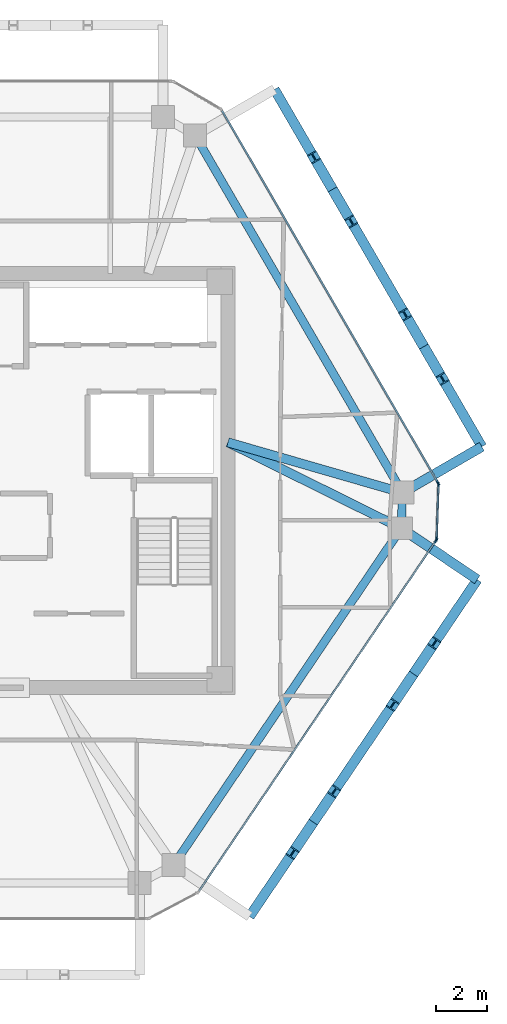
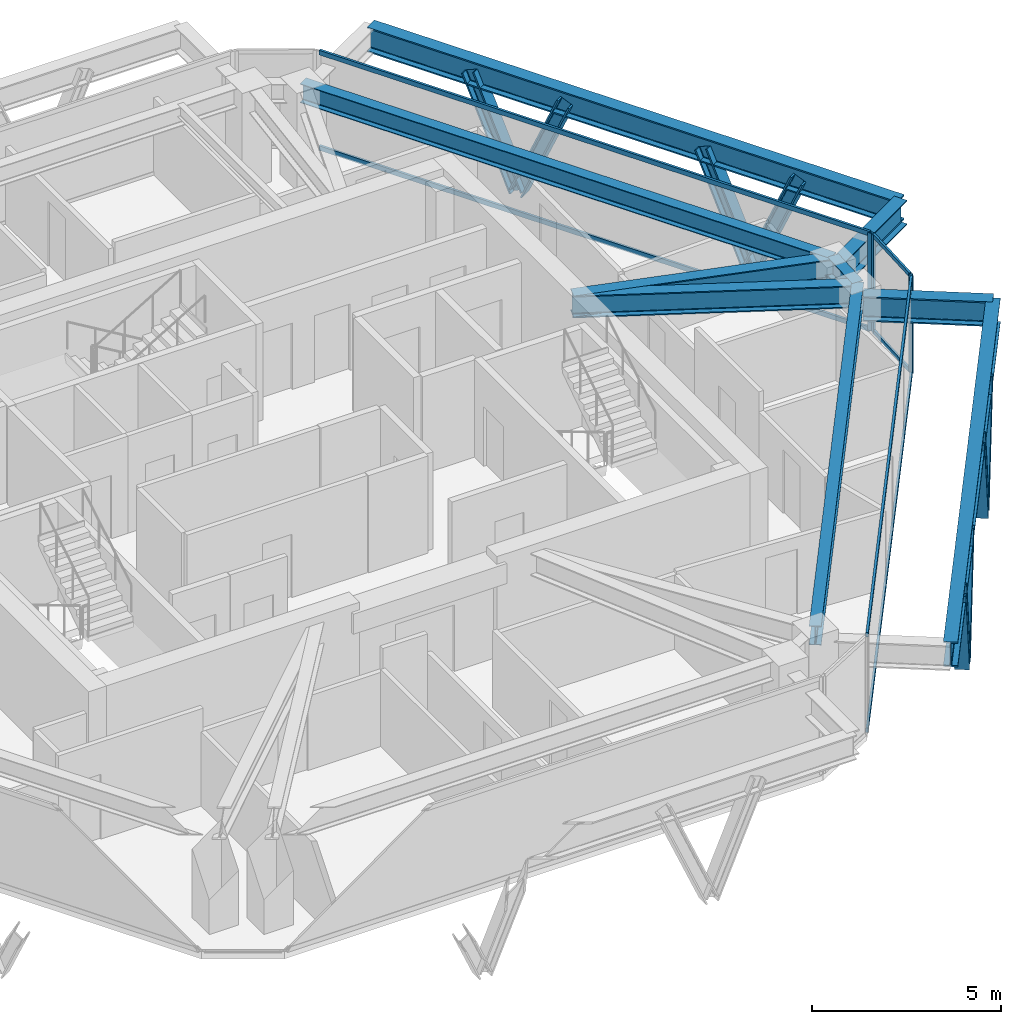
# One storey, part 5 of 11: 18 members, 9 beams, 3 elements without a shape of their own.
"""IFC4 building model written with IfcOpenShell, lengths in metres."""

import ifcopenshell
import ifcopenshell.guid

model = None  # the IFC model being written
_history = None  # IfcOwnerHistory: only IFC2X3 demands one
_inside = {}  # id of a spatial element -> (the spatial element, [elements in it])
_under = {}  # id of a project, library or spatial element -> (it, [spatial elements below it])
_declared = {}  # id of a project -> (the project, [libraries it declares])
_typed = {}  # id of a type object -> (the type object, [elements of that type])
_made_of = {}  # id of a material, layer set ... -> (it, [elements and type objects made of it])


def new_model(schema):
    """Start an empty IFC model of exactly this schema.

    Asked for "IFC4X3", IfcOpenShell would pick the latest addendum, in which some entities
    have other attributes; the version numbers below select the first issue.
    IFC2X3 requires an IfcOwnerHistory on every rooted entity: one is made here for all.
    """
    global model, _history
    if schema == "IFC4X3":
        model = ifcopenshell.file(schema_version=(4, 3, 0, 0))
    else:
        model = ifcopenshell.file(schema=schema)
    _inside.clear()
    _under.clear()
    _declared.clear()
    _typed.clear()
    _made_of.clear()
    _history = None
    if model.schema == "IFC2X3":
        org = make("IfcOrganization", Name="unknown")
        user = make(
            "IfcPersonAndOrganization",
            ThePerson=make("IfcPerson", FamilyName="unknown"),
            TheOrganization=org,
        )
        app = make(
            "IfcApplication",
            ApplicationDeveloper=org,
            Version="unknown",
            ApplicationFullName="unknown",
            ApplicationIdentifier="unknown",
        )
        _history = make(
            "IfcOwnerHistory",
            OwningUser=user,
            OwningApplication=app,
            ChangeAction="ADDED",
            CreationDate=0,
        )
    return model


def make(cls, **values):
    """One entity of the class cls with the attributes given. An attribute that is None is left unset."""
    return model.create_entity(
        cls, **{name: value for name, value in values.items() if value is not None}
    )


def rooted(cls, **values):
    """An entity with a GlobalId (a new one), such as an element, a storey or a relation."""
    return make(cls, GlobalId=ifcopenshell.guid.new(), OwnerHistory=_history, **values)


def si_unit(unit_type, name, prefix=None):
    """IfcSIUnit, for example si_unit("LENGTHUNIT", "METRE", prefix="MILLI")."""
    return make("IfcSIUnit", UnitType=unit_type, Prefix=prefix, Name=name)


def assignment(units):
    """IfcUnitAssignment: the units of a project."""
    return None if units is None else make("IfcUnitAssignment", Units=units)


def point(xyz):
    """IfcCartesianPoint."""
    return None if xyz is None else make("IfcCartesianPoint", Coordinates=xyz)


def direction(xyz):
    """IfcDirection."""
    return None if xyz is None else make("IfcDirection", DirectionRatios=xyz)


def frame(location, z_axis=None, x_axis=None):
    """IfcAxis2Placement3D, a coordinate frame: its origin and axes. An axis left out is left unset."""
    return make(
        "IfcAxis2Placement3D",
        Location=point(location),
        Axis=direction(z_axis),
        RefDirection=direction(x_axis),
    )


def frame_2d(location, x_axis=None):
    """IfcAxis2Placement2D, a coordinate frame in the plane: its origin and x axis."""
    return make(
        "IfcAxis2Placement2D", Location=point(location), RefDirection=direction(x_axis)
    )


def origin():
    """The frame at (0, 0, 0) with its axes left unset."""
    return frame((0.0, 0.0, 0.0))


def origin_2d():
    """The frame at (0, 0) in the plane with its x axis left unset."""
    return frame_2d((0.0, 0.0))


def place(relative_to, where):
    """IfcLocalPlacement: puts the frame where relative to a parent placement (None: the world)."""
    return make(
        "IfcLocalPlacement", PlacementRelTo=relative_to, RelativePlacement=where
    )


def context(
    kind, dimensions, precision=None, world=None, true_north=None, identifier=None
):
    """IfcGeometricRepresentationContext, for example the 3D "Model" context."""
    return make(
        "IfcGeometricRepresentationContext",
        ContextIdentifier=identifier,
        ContextType=kind,
        CoordinateSpaceDimension=dimensions,
        Precision=precision,
        WorldCoordinateSystem=world,
        TrueNorth=true_north,
    )


def subcontext(parent, identifier, kind, view, scale=None):
    """IfcGeometricRepresentationSubContext, for example "Body" below "Model"."""
    return make(
        "IfcGeometricRepresentationSubContext",
        ContextIdentifier=identifier,
        ContextType=kind,
        ParentContext=parent,
        TargetScale=scale,
        TargetView=view,
    )


def project(units=None, contexts=None):
    """IfcProject with its units and contexts."""
    return rooted(
        "IfcProject",
        Name="project",
        RepresentationContexts=contexts,
        UnitsInContext=assignment(units),
    )


def spatial(cls, under=None, at=None, **own):
    """A site, building, storey or space (cls), placed at a placement, below another one or the project."""
    s = rooted(cls, ObjectPlacement=at, **own)
    if under is not None:
        _under.setdefault(under.id(), (under, []))[1].append(s)
    return s


def profile(cls, at=None, kind="AREA", **sizes):
    """A parametric profile (cls). Its sizes go by their IFC names, for example OverallWidth=200.0."""
    return make(cls, ProfileType=kind, Position=at, **sizes)


def rectangle(**sizes):
    """IfcRectangleProfileDef."""
    return profile("IfcRectangleProfileDef", **sizes)


def i_section(**sizes):
    """IfcIShapeProfileDef."""
    return profile("IfcIShapeProfileDef", **sizes)


def extrude(swept, where, along, depth):
    """IfcExtrudedAreaSolid: the profile swept, set in the frame where, extruded along a direction by depth."""
    return make(
        "IfcExtrudedAreaSolid",
        SweptArea=swept,
        Position=where,
        ExtrudedDirection=direction(along),
        Depth=depth,
    )


def shape(context_of_items, identifier, shape_type, items):
    """IfcShapeRepresentation: the items that make up one representation, for example the "Body"."""
    return make(
        "IfcShapeRepresentation",
        ContextOfItems=context_of_items,
        RepresentationIdentifier=identifier,
        RepresentationType=shape_type,
        Items=items,
    )


def source(mapping_origin, context_of_items, identifier, shape_type, items):
    """IfcRepresentationMap: a shape defined once, which mapped items show again and again."""
    return make(
        "IfcRepresentationMap",
        MappingOrigin=mapping_origin,
        MappedRepresentation=shape(context_of_items, identifier, shape_type, items),
    )


def transform(
    local_origin,
    x_axis=None,
    y_axis=None,
    z_axis=None,
    scale=None,
    scale2=None,
    scale3=None,
    uniform=True,
):
    """IfcCartesianTransformationOperator3D, or its non-uniform kind. x_axis, y_axis, z_axis: its Axis1, 2, 3."""
    if uniform:
        return make(
            "IfcCartesianTransformationOperator3D",
            Axis1=direction(x_axis),
            Axis2=direction(y_axis),
            LocalOrigin=point(local_origin),
            Scale=scale,
            Axis3=direction(z_axis),
        )
    return make(
        "IfcCartesianTransformationOperator3DnonUniform",
        Axis1=direction(x_axis),
        Axis2=direction(y_axis),
        LocalOrigin=point(local_origin),
        Scale=scale,
        Axis3=direction(z_axis),
        Scale2=scale2,
        Scale3=scale3,
    )


def mapped(mapping_source, mapping_target):
    """IfcMappedItem: shows the shape of a source again, moved by a transform."""
    return make(
        "IfcMappedItem", MappingSource=mapping_source, MappingTarget=mapping_target
    )


def material(Name=None, Category=None):
    """IfcMaterial."""
    return make("IfcMaterial", Name=Name, Category=Category)


def layer(
    of_material, thickness, ventilated=None, Name=None, Category=None, Priority=None
):
    """IfcMaterialLayer: one layer of a wall or slab, of a material (None: an air gap)."""
    return make(
        "IfcMaterialLayer",
        Material=of_material,
        LayerThickness=thickness,
        IsVentilated=ventilated,
        Name=Name,
        Category=Category,
        Priority=Priority,
    )


def layer_set(layers, Name=None):
    """IfcMaterialLayerSet."""
    return make("IfcMaterialLayerSet", MaterialLayers=layers, LayerSetName=Name)


def material_profile(
    of_material, cross_section, Name=None, Category=None, Priority=None
):
    """IfcMaterialProfile: a cross section and its material."""
    return make(
        "IfcMaterialProfile",
        Name=Name,
        Material=of_material,
        Profile=cross_section,
        Priority=Priority,
        Category=Category,
    )


def profile_set(profiles, Name=None, composite=None):
    """IfcMaterialProfileSet."""
    return make(
        "IfcMaterialProfileSet",
        Name=Name,
        MaterialProfiles=profiles,
        CompositeProfile=composite,
    )


def made_of(thing, what):
    """Note that an element or type object is made of a material, layer set ...; save() writes the relation."""
    if what is not None:
        _made_of.setdefault(what.id(), (what, []))[1].append(thing)
    return thing


def type_object(cls, material=None, **own):
    """A type object (cls), such as IfcWallType, which elements share."""
    return made_of(rooted(cls, **own), material)


def type_shapes(of_type, sources):
    """Give a type object the sources (RepresentationMaps) that its elements show as mapped items."""
    of_type.RepresentationMaps = sources


def element(
    cls,
    number,
    at=None,
    inside=None,
    cuts=None,
    type_object=None,
    material=None,
    context=None,
    identifier="Body",
    shape_type=None,
    held_by="IfcProductDefinitionShape",
    body=None,
    shapes=None,
    **own,
):
    """One element of the class cls, such as IfcWall. Its Tag is "e" and its number.

    at: its placement. inside: the storey or other place that contains it. cuts: it is an
    opening in that element (IfcRelVoidsElement). A single representation is given by context,
    identifier, shape_type and body (its items); several are given by shapes. held_by: the class
    of the entity that holds the representations. save() writes the other relations.
    """
    e = rooted(cls, Tag="e%d" % number, ObjectPlacement=at, **own)
    if body is not None:
        shapes = [shape(context, identifier, shape_type, body)]
    if shapes is not None:
        e.Representation = make(held_by, Representations=shapes)
    if inside is not None:
        _inside.setdefault(inside.id(), (inside, []))[1].append(e)
    if cuts is not None:
        rooted(
            "IfcRelVoidsElement", RelatingBuildingElement=cuts, RelatedOpeningElement=e
        )
    if type_object is not None:
        _typed.setdefault(type_object.id(), (type_object, []))[1].append(e)
    return made_of(e, material)


def aggregate(whole, parts):
    """IfcRelAggregates: a whole, such as a stair, and the parts it consists of."""
    return rooted("IfcRelAggregates", RelatingObject=whole, RelatedObjects=parts)


def save(model, path):
    """Write the relations noted so far, then the file.

    IfcRelAggregates (storeys below a building ...), IfcRelContainedInSpatialStructure (elements
    in a storey), IfcRelDefinesByType, IfcRelAssociatesMaterial and IfcRelDeclares: one each for
    every whole, place, type object, material and project.
    """
    for whole, parts in _under.values():
        aggregate(whole, parts)
    for where, things in _inside.values():
        rooted(
            "IfcRelContainedInSpatialStructure",
            RelatedElements=things,
            RelatingStructure=where,
        )
    for kind, things in _typed.values():
        rooted("IfcRelDefinesByType", RelatedObjects=things, RelatingType=kind)
    for what, things in _made_of.values():
        rooted("IfcRelAssociatesMaterial", RelatedObjects=things, RelatingMaterial=what)
    for by, libraries in _declared.values():
        rooted("IfcRelDeclares", RelatingContext=by, RelatedDefinitions=libraries)
    model.write(path)


model = new_model("IFC4")

# Units and contexts
model_context = context("Model", 3, precision=1e-05, world=origin(), true_north=direction((0.0, 1.0)))
body_context = subcontext(model_context, "Body", "Model", "MODEL_VIEW")
ifc_project = project(units=[si_unit("LENGTHUNIT", "METRE"), si_unit("AREAUNIT", "SQUARE_METRE"), si_unit("VOLUMEUNIT", "CUBIC_METRE"), si_unit("PLANEANGLEUNIT", "RADIAN"), si_unit("MASSUNIT", "GRAM", prefix="KILO")], contexts=[model_context])

# Site, building, storey
site_placement = place(None, origin())
site = spatial("IfcSite", under=ifc_project, at=site_placement, CompositionType="ELEMENT")
building_placement = place(site_placement, origin())
building = spatial("IfcBuilding", under=site, at=building_placement, Name="Durnholm Broadcast Tower", CompositionType="ELEMENT")
storey_placement = place(building_placement, frame((0.0, 0.0, 258.10009765625)))
storey = spatial("IfcBuildingStorey", under=building, at=storey_placement, Name="L72", CompositionType="ELEMENT", Elevation=258.10009765625)

# Beams
ifc_material_1 = material(Name="Steel ASTM A992 Grade 50", Category="steel")
ifc_material_profile_1 = material_profile(ifc_material_1, i_section(OverallWidth=0.385009765625, OverallDepth=0.802978515625, WebThickness=0.023681640625, FlangeThickness=0.0419921875, FilletRadius=0.032958984375, at=origin_2d()), Name="W30X261")
ifc_profile_set_1 = profile_set([ifc_material_profile_1], Name="Steel ASTM A992 Grade 50")
beam_type_1 = type_object("IfcBeamType", Name="BM-EXO-TIE", PredefinedType="USERDEFINED", material=ifc_profile_set_1)
shared_shape_1 = source(origin(), body_context, "Body", "SweptSolid", [
    extrude(i_section(OverallWidth=0.385009765625, OverallDepth=0.802978515625, WebThickness=0.023681640625, FlangeThickness=0.0419921875, FilletRadius=0.032958984375, at=origin_2d()), origin(), (0.0, 0.0, 1.0), 3.4560546875),
])
beam_1_placement = place(storey_placement, frame((17.0947265625, -0.40380859375, 2.408447265625), z_axis=(0.864924479231, 0.501902027518, 0.0), x_axis=(-0.501902027518, 0.864924479231, 0.0)))
element("IfcBeam", 1, at=beam_1_placement, inside=storey, type_object=beam_type_1, Name="L72 exoskeleton stand-off tie bracket F3.1", ObjectType="GIRDER", PredefinedType="USERDEFINED", context=body_context, shape_type="MappedRepresentation", body=[
    mapped(shared_shape_1, transform((0.0, 0.0, 0.0), x_axis=(1.0, 0.0, 0.0), y_axis=(0.0, 1.0, 0.0), z_axis=(0.0, 0.0, 1.0), scale=1.0)),
])
shared_shape_2 = source(origin(), body_context, "Body", "SweptSolid", [
    extrude(i_section(OverallWidth=0.385009765625, OverallDepth=0.802978515625, WebThickness=0.023681640625, FlangeThickness=0.0419921875, FilletRadius=0.032958984375, at=origin_2d()), origin(), (0.0, 0.0, 1.0), 3.455810546875),
])
beam_2_placement = place(storey_placement, frame((17.041748046875, -1.95068359375, 2.408447265625), z_axis=(0.828446342252, -0.560068440469, 0.0), x_axis=(0.560068440469, 0.828446342252, 0.0)))
element("IfcBeam", 2, at=beam_2_placement, inside=storey, type_object=beam_type_1, Name="L72 exoskeleton stand-off tie bracket F2.2", ObjectType="GIRDER", PredefinedType="USERDEFINED", context=body_context, shape_type="MappedRepresentation", body=[
    mapped(shared_shape_2, transform((0.0, 0.0, 0.0), x_axis=(1.0, 0.0, 0.0), y_axis=(0.0, 1.0, 0.0), z_axis=(0.0, 0.0, 1.0), scale=1.0)),
])
ifc_material_profile_2 = material_profile(ifc_material_1, i_section(OverallWidth=0.3251953125, OverallDepth=0.6162109375, WebThickness=0.013916015625, FlangeThickness=0.021484375, FilletRadius=0.02783203125, at=origin_2d()), Name="W24X117")
ifc_profile_set_2 = profile_set([ifc_material_profile_2], Name="Steel ASTM A992 Grade 50")
beam_type_2 = type_object("IfcBeamType", Name="STL-SP-W24X117", PredefinedType="SPANDREL", material=ifc_profile_set_2)
shared_shape_3 = source(origin(), body_context, "Body", "SweptSolid", [
    extrude(i_section(OverallWidth=0.3251953125, OverallDepth=0.6162109375, WebThickness=0.013916015625, FlangeThickness=0.021484375, FilletRadius=0.02783203125, at=origin_2d()), origin(), (0.0, 0.0, 1.0), 1.39453125),
])
beam_3_placement = place(storey_placement, frame((16.97021484375, -0.47607421875, 2.8369140625), z_axis=(-0.034311541846, -0.999411185697, 0.0), x_axis=(0.999411185697, -0.034311541846, 0.0)))
element("IfcBeam", 3, at=beam_3_placement, inside=storey, type_object=beam_type_2, Name="L72 perimeter spandrel girder 08", PredefinedType="SPANDREL", context=body_context, shape_type="MappedRepresentation", body=[
    mapped(shared_shape_3, transform((0.0, 0.0, 0.0), x_axis=(1.0, 0.0, 0.0), y_axis=(0.0, 1.0, 0.0), z_axis=(0.0, 0.0, 1.0), scale=1.0)),
])
shared_shape_4 = source(origin(), body_context, "Body", "SweptSolid", [
    extrude(i_section(OverallWidth=0.3251953125, OverallDepth=0.6162109375, WebThickness=0.013916015625, FlangeThickness=0.021484375, FilletRadius=0.02783203125, at=origin_2d()), origin(), (0.0, 0.0, 1.0), 15.947265625),
])
beam_4_placement = place(storey_placement, frame((16.92236328125, -1.869873046875, 2.8369140625), z_axis=(-0.560062212489, -0.828450552623, 0.0), x_axis=(0.828450552623, -0.560062212489, 0.0)))
element("IfcBeam", 4, at=beam_4_placement, inside=storey, type_object=beam_type_2, Name="L72 perimeter spandrel girder 09", PredefinedType="SPANDREL", context=body_context, shape_type="MappedRepresentation", body=[
    mapped(shared_shape_4, transform((0.0, 0.0, 0.0), x_axis=(1.0, 0.0, 0.0), y_axis=(0.0, 1.0, 0.0), z_axis=(0.0, 0.0, 1.0), scale=1.0)),
])
shared_shape_5 = source(origin(), body_context, "Body", "SweptSolid", [
    extrude(i_section(OverallWidth=0.3251953125, OverallDepth=0.6162109375, WebThickness=0.013916015625, FlangeThickness=0.021484375, FilletRadius=0.02783203125, at=origin_2d()), origin(), (0.0, 0.0, 1.0), 16.20263671875),
])
type_shapes(beam_type_2, [shared_shape_3, shared_shape_4, shared_shape_5])
beam_5_placement = place(storey_placement, frame((8.83740234375, 13.53759765625, 2.8369140625), z_axis=(0.501943573333, -0.864900369516, 0.0), x_axis=(0.864900369516, 0.501943573333, 0.0)))
element("IfcBeam", 5, at=beam_5_placement, inside=storey, type_object=beam_type_2, Name="L72 perimeter spandrel girder 07", PredefinedType="SPANDREL", context=body_context, shape_type="MappedRepresentation", body=[
    mapped(shared_shape_5, transform((0.0, 0.0, 0.0), x_axis=(1.0, 0.0, 0.0), y_axis=(0.0, 1.0, 0.0), z_axis=(0.0, 0.0, 1.0), scale=1.0)),
])
shared_shape_6 = source(origin(), body_context, "Body", "SweptSolid", [
    extrude(i_section(OverallWidth=0.385009765625, OverallDepth=0.802978515625, WebThickness=0.023681640625, FlangeThickness=0.0419921875, FilletRadius=0.032958984375, at=origin_2d()), origin(), (0.0, 0.0, 1.0), 15.947021484375),
])
beam_6_placement = place(storey_placement, frame((10.973388671875, -17.097412109375, 2.408447265625), z_axis=(0.560069315853, 0.828445750451, 0.0), x_axis=(-0.828445750451, 0.560069315853, 0.0)))
element("IfcBeam", 6, at=beam_6_placement, inside=storey, type_object=beam_type_1, Name="L72 exoskeleton collector spandrel F2", PredefinedType="SPANDREL", context=body_context, shape_type="MappedRepresentation", body=[
    mapped(shared_shape_6, transform((0.0, 0.0, 0.0), x_axis=(1.0, 0.0, 0.0), y_axis=(0.0, 1.0, 0.0), z_axis=(0.0, 0.0, 1.0), scale=1.0)),
])
shared_shape_7 = source(origin(), body_context, "Body", "SweptSolid", [
    extrude(i_section(OverallWidth=0.385009765625, OverallDepth=0.802978515625, WebThickness=0.023681640625, FlangeThickness=0.0419921875, FilletRadius=0.032958984375, at=origin_2d()), origin(), (0.0, 0.0, 1.0), 16.202880859375),
])
type_shapes(beam_type_1, [shared_shape_1, shared_shape_2, shared_shape_6, shared_shape_7])
beam_7_placement = place(storey_placement, frame((20.083984375, 1.330810546875, 2.408447265625), z_axis=(-0.501948303381, 0.864897624423, 0.0), x_axis=(-0.864897624423, -0.501948303381, 0.0)))
element("IfcBeam", 7, at=beam_7_placement, inside=storey, type_object=beam_type_1, Name="L72 exoskeleton collector spandrel F3", PredefinedType="SPANDREL", context=body_context, shape_type="MappedRepresentation", body=[
    mapped(shared_shape_7, transform((0.0, 0.0, 0.0), x_axis=(1.0, 0.0, 0.0), y_axis=(0.0, 1.0, 0.0), z_axis=(0.0, 0.0, 1.0), scale=1.0)),
])
ifc_material_profile_3 = material_profile(ifc_material_1, i_section(OverallWidth=0.3564453125, OverallDepth=0.713623046875, WebThickness=0.01904296875, FlangeThickness=0.033935546875, FilletRadius=0.030517578125, at=origin_2d()), Name="W27X194")
ifc_profile_set_3 = profile_set([ifc_material_profile_3], Name="Steel ASTM A992 Grade 50")
beam_type_3 = type_object("IfcBeamType", Name="STL-GR-W27X194", PredefinedType="USERDEFINED", material=ifc_profile_set_3)
shared_shape_8 = source(origin(), body_context, "Body", "SweptSolid", [
    extrude(i_section(OverallWidth=0.3564453125, OverallDepth=0.713623046875, WebThickness=0.01904296875, FlangeThickness=0.033935546875, FilletRadius=0.030517578125, at=origin_2d()), origin(), (0.0, 0.0, 1.0), 7.124755859375),
])
beam_8_placement = place(storey_placement, frame((10.125, 1.5, 2.7880859375), z_axis=(0.960767767054, -0.277354101809, 0.0), x_axis=(0.277354101809, 0.960767767054, 0.0)))
element("IfcBeam", 8, at=beam_8_placement, inside=storey, type_object=beam_type_3, Name="L72 radial primary floor girder 08", ObjectType="GIRDER", PredefinedType="USERDEFINED", context=body_context, shape_type="MappedRepresentation", body=[
    mapped(shared_shape_8, transform((0.0, 0.0, 0.0), x_axis=(1.0, 0.0, 0.0), y_axis=(0.0, 1.0, 0.0), z_axis=(0.0, 0.0, 1.0), scale=1.0)),
])
shared_shape_9 = source(origin(), body_context, "Body", "SweptSolid", [
    extrude(i_section(OverallWidth=0.3564453125, OverallDepth=0.713623046875, WebThickness=0.01904296875, FlangeThickness=0.033935546875, FilletRadius=0.030517578125, at=origin_2d()), origin(), (0.0, 0.0, 1.0), 7.5869140625),
])
type_shapes(beam_type_3, [shared_shape_8, shared_shape_9])
beam_9_placement = place(storey_placement, frame((10.125, 1.5, 2.7880859375), z_axis=(0.895940903598, -0.444173273916, 0.0), x_axis=(0.444173273916, 0.895940903598, 0.0)))
element("IfcBeam", 9, at=beam_9_placement, inside=storey, type_object=beam_type_3, Name="L72 radial primary floor girder 09", ObjectType="GIRDER", PredefinedType="USERDEFINED", context=body_context, shape_type="MappedRepresentation", body=[
    mapped(shared_shape_9, transform((0.0, 0.0, 0.0), x_axis=(1.0, 0.0, 0.0), y_axis=(0.0, 1.0, 0.0), z_axis=(0.0, 0.0, 1.0), scale=1.0)),
])

# Members
ifc_material_2 = material(Name="Steel ASTM A913 Grade 65", Category="steel")
ifc_material_profile_4 = material_profile(ifc_material_2, i_section(OverallWidth=0.40625, OverallDepth=0.416015625, WebThickness=0.02978515625, FlangeThickness=0.048095703125, FilletRadius=0.030517578125, at=origin_2d()), Name="W14X257")
ifc_profile_set_4 = profile_set([ifc_material_profile_4], Name="Steel ASTM A913 Grade 65")
member_type_1 = type_object("IfcMemberType", Name="STL-DG-W14X257", PredefinedType="BRACE", material=ifc_profile_set_4)
shared_shape_10 = source(origin(), body_context, "Body", "SweptSolid", [
    extrude(i_section(OverallWidth=0.40625, OverallDepth=0.416015625, WebThickness=0.02978515625, FlangeThickness=0.048095703125, FilletRadius=0.030517578125, at=origin_2d()), origin(), (0.0, 0.0, 1.0), 3.699462890625),
])
member_1_placement = place(storey_placement, frame((14.228271484375, 11.4208984375, -0.99169921875), z_axis=(-0.197842946098, 0.340846836757, 0.919065613845), x_axis=(-0.864863994925, -0.502006245263, 0.0)))
element("IfcMember", 10, at=member_1_placement, inside=storey, type_object=member_type_1, Name="L72 stand-off diagrid brace F3.D2.2", PredefinedType="BRACE", context=body_context, shape_type="MappedRepresentation", body=[
    mapped(shared_shape_10, transform((0.0, 0.0, 0.0), x_axis=(1.0, 0.0, 0.0), y_axis=(0.0, 1.0, 0.0), z_axis=(0.0, 0.0, 1.0), scale=1.0)),
])
shared_shape_11 = source(origin(), body_context, "Body", "SweptSolid", [
    extrude(i_section(OverallWidth=0.40625, OverallDepth=0.416015625, WebThickness=0.02978515625, FlangeThickness=0.048095703125, FilletRadius=0.030517578125, at=origin_2d()), origin(), (0.0, 0.0, 1.0), 3.69970703125),
])
type_shapes(member_type_1, [shared_shape_10, shared_shape_11])
for number, where, z_axis, x_axis, name in (
    (11, (13.47412109375, -13.398193359375, -0.99169921875), (-0.220734165395, -0.326580981925, 0.91903280163), (0.828505003222, -0.559981660089, 0.0), "L72 stand-off diagrid brace F2.D1.1"),
    (12, (13.47412109375, -13.398193359375, -0.99169921875), (0.220738922076, 0.326522028829, 0.919052606204), (-0.828452496411, 0.560059337206, 0.0), "L72 stand-off diagrid brace F2.D1.2"),
    (13, (17.404052734375, -7.585205078125, -0.99169921875), (-0.220734165395, -0.326580981925, 0.91903280163), (0.828505003222, -0.559981660089, 0.0), "L72 stand-off diagrid brace F2.D2.1"),
    (14, (17.404052734375, -7.585205078125, -0.99169921875), (0.220738922076, 0.326522028829, 0.919052606204), (-0.828452496411, 0.560059337206, 0.0), "L72 stand-off diagrid brace F2.D2.2"),
    (15, (17.806640625, 5.2548828125, -0.99169921875), (0.197838495728, -0.340905159749, 0.919044939959), (0.864906184135, 0.501933554014, 0.0), "L72 stand-off diagrid brace F3.D1.1"),
    (16, (17.806640625, 5.2548828125, -0.99169921875), (-0.197838495728, 0.340905159749, 0.919044939959), (-0.864906184135, -0.501933554014, 0.0), "L72 stand-off diagrid brace F3.D1.2"),
    (17, (14.228271484375, 11.4208984375, -0.99169921875), (0.197838495728, -0.340905159749, 0.919044939959), (0.864906184135, 0.501933554014, 0.0), "L72 stand-off diagrid brace F3.D2.1"),
):
    element("IfcMember", number, at=place(storey_placement, frame(where, z_axis=z_axis, x_axis=x_axis)), inside=storey, type_object=member_type_1, Name=name, PredefinedType="BRACE", context=body_context, shape_type="MappedRepresentation", body=[
        mapped(shared_shape_11, transform((0.0, 0.0, 0.0), x_axis=(1.0, 0.0, 0.0), y_axis=(0.0, 1.0, 0.0), z_axis=(0.0, 0.0, 1.0), scale=1.0)),
    ])

# Curtain wall, members
ifc_material_3 = material(Name="Aluminium and Solar Control IGU", Category="aluminium")
ifc_layer_1 = layer(ifc_material_3, 0.1650390625)
ifc_layer_set_1 = layer_set([ifc_layer_1], Name="Aluminium and Solar Control IGU")
curtain_wall_type_1 = type_object("IfcCurtainWallType", Name="CW-SYS-5", PredefinedType="NOTDEFINED", material=ifc_layer_set_1)
curtain_wall_1_placement = place(storey_placement, origin())
curtain_wall_1 = element("IfcCurtainWall", 18, at=curtain_wall_1_placement, inside=storey, type_object=curtain_wall_type_1, Name="L72 curtain wall CW-CORNER CW-L72-CRN-07", PredefinedType="NOTDEFINED")
ifc_material_4 = material(Name="Aluminium 6063-T6", Category="aluminium")
ifc_material_profile_5 = material_profile(ifc_material_4, rectangle(XDim=0.06494140625, YDim=0.1298828125, at=origin_2d()), Name="CWT65X130")
ifc_profile_set_5 = profile_set([ifc_material_profile_5], Name="Aluminium 6063-T6")
member_type_2 = type_object("IfcMemberType", Name="CW-SYS-5-TRN", PredefinedType="USERDEFINED", material=ifc_profile_set_5)
shared_shape_12 = source(origin(), body_context, "Body", "SweptSolid", [
    extrude(rectangle(XDim=0.06494140625, YDim=0.1298828125, at=origin_2d()), origin(), (0.0, 0.0, 1.0), 2.06982421875),
])
type_shapes(member_type_2, [shared_shape_12])
member_2_placement = place(storey_placement, frame((18.381103515625, -0.186767578125, 0.032470703125), z_axis=(-0.034324150719, -0.999410752733, 0.0), x_axis=(0.999410752733, -0.034324150719, 0.0)))
member_2 = element("IfcMember", 19, at=member_2_placement, type_object=member_type_2, Name="CW-CORNER transom 1.1", ObjectType="TRANSOM", PredefinedType="USERDEFINED", context=body_context, shape_type="MappedRepresentation", body=[
    mapped(shared_shape_12, transform((0.0, 0.0, 0.0), x_axis=(1.0, 0.0, 0.0), y_axis=(0.0, 1.0, 0.0), z_axis=(0.0, 0.0, 1.0), scale=1.0)),
])
member_3_placement = place(storey_placement, frame((18.381103515625, -0.186767578125, 3.12744140625), z_axis=(-0.034324150719, -0.999410752733, 0.0), x_axis=(0.999410752733, -0.034324150719, 0.0)))
member_3 = element("IfcMember", 20, at=member_3_placement, type_object=member_type_2, Name="CW-CORNER transom 1.2", ObjectType="TRANSOM", PredefinedType="USERDEFINED", context=body_context, shape_type="MappedRepresentation", body=[
    mapped(shared_shape_12, transform((0.0, 0.0, 0.0), x_axis=(1.0, 0.0, 0.0), y_axis=(0.0, 1.0, 0.0), z_axis=(0.0, 0.0, 1.0), scale=1.0)),
])

ifc_layer_2 = layer(ifc_material_3, 0.18994140625)
ifc_layer_set_2 = layer_set([ifc_layer_2], Name="Aluminium and Solar Control IGU")
curtain_wall_type_2 = type_object("IfcCurtainWallType", Name="CW-SYS-4", PredefinedType="NOTDEFINED", material=ifc_layer_set_2)
curtain_wall_2_placement = place(storey_placement, origin())
curtain_wall_2 = element("IfcCurtainWall", 21, at=curtain_wall_2_placement, inside=storey, type_object=curtain_wall_type_2, Name="L72 curtain wall CW-Z34-VIS CW-L72-F08", PredefinedType="NOTDEFINED")
ifc_material_profile_6 = material_profile(ifc_material_4, rectangle(XDim=0.070068359375, YDim=0.14990234375, at=origin_2d()), Name="CWT70X150")
ifc_profile_set_6 = profile_set([ifc_material_profile_6], Name="Aluminium 6063-T6")
member_type_3 = type_object("IfcMemberType", Name="CW-SYS-4-TRN", PredefinedType="USERDEFINED", material=ifc_profile_set_6)
shared_shape_13 = source(origin(), body_context, "Body", "SweptSolid", [
    extrude(rectangle(XDim=0.070068359375, YDim=0.14990234375, at=origin_2d()), origin(), (0.0, 0.0, 1.0), 16.55859375),
])
member_4_placement = place(storey_placement, frame((18.2685546875, -2.37841796875, 0.034912109375), z_axis=(-0.560071338091, -0.828444383317, 0.0), x_axis=(0.828444383317, -0.560071338091, 0.0)))
member_4 = element("IfcMember", 22, at=member_4_placement, type_object=member_type_3, Name="CW-Z34-VIS transom 1.1", ObjectType="TRANSOM", PredefinedType="USERDEFINED", context=body_context, shape_type="MappedRepresentation", body=[
    mapped(shared_shape_13, transform((0.0, 0.0, 0.0), x_axis=(1.0, 0.0, 0.0), y_axis=(0.0, 1.0, 0.0), z_axis=(0.0, 0.0, 1.0), scale=1.0)),
])
member_5_placement = place(storey_placement, frame((18.2685546875, -2.37841796875, 3.125), z_axis=(-0.560071338091, -0.828444383317, 0.0), x_axis=(0.828444383317, -0.560071338091, 0.0)))
member_5 = element("IfcMember", 23, at=member_5_placement, type_object=member_type_3, Name="CW-Z34-VIS transom 1.2", ObjectType="TRANSOM", PredefinedType="USERDEFINED", context=body_context, shape_type="MappedRepresentation", body=[
    mapped(shared_shape_13, transform((0.0, 0.0, 0.0), x_axis=(1.0, 0.0, 0.0), y_axis=(0.0, 1.0, 0.0), z_axis=(0.0, 0.0, 1.0), scale=1.0)),
])

curtain_wall_3_placement = place(storey_placement, origin())
curtain_wall_3 = element("IfcCurtainWall", 24, at=curtain_wall_3_placement, inside=storey, type_object=curtain_wall_type_2, Name="L72 curtain wall CW-Z34-VIS CW-L72-F06", PredefinedType="NOTDEFINED")
shared_shape_14 = source(origin(), body_context, "Body", "SweptSolid", [
    extrude(rectangle(XDim=0.070068359375, YDim=0.14990234375, at=origin_2d()), origin(), (0.0, 0.0, 1.0), 16.83984375),
])
type_shapes(member_type_3, [shared_shape_13, shared_shape_14])
member_6_placement = place(storey_placement, frame((9.8955078125, 14.503662109375, 0.034912109375), z_axis=(0.501945239029, -0.86489940283, 0.0), x_axis=(0.86489940283, 0.501945239029, 0.0)))
member_6 = element("IfcMember", 25, at=member_6_placement, type_object=member_type_3, Name="CW-Z34-VIS transom 1.1", ObjectType="TRANSOM", PredefinedType="USERDEFINED", context=body_context, shape_type="MappedRepresentation", body=[
    mapped(shared_shape_14, transform((0.0, 0.0, 0.0), x_axis=(1.0, 0.0, 0.0), y_axis=(0.0, 1.0, 0.0), z_axis=(0.0, 0.0, 1.0), scale=1.0)),
])
member_7_placement = place(storey_placement, frame((9.8955078125, 14.503662109375, 3.125), z_axis=(0.501945239029, -0.86489940283, 0.0), x_axis=(0.86489940283, 0.501945239029, 0.0)))
member_7 = element("IfcMember", 26, at=member_7_placement, type_object=member_type_3, Name="CW-Z34-VIS transom 1.2", ObjectType="TRANSOM", PredefinedType="USERDEFINED", context=body_context, shape_type="MappedRepresentation", body=[
    mapped(shared_shape_14, transform((0.0, 0.0, 0.0), x_axis=(1.0, 0.0, 0.0), y_axis=(0.0, 1.0, 0.0), z_axis=(0.0, 0.0, 1.0), scale=1.0)),
])

# Member
ifc_material_profile_7 = material_profile(ifc_material_4, rectangle(XDim=0.06494140625, YDim=0.1650390625, at=origin_2d()), Name="CWM65X165")
ifc_profile_set_7 = profile_set([ifc_material_profile_7], Name="Aluminium 6063-T6")
member_type_4 = type_object("IfcMemberType", Name="CW-SYS-5-MUL", PredefinedType="MULLION", material=ifc_profile_set_7)
shared_shape_15 = source(origin(), body_context, "Body", "SweptSolid", [
    extrude(rectangle(XDim=0.06494140625, YDim=0.1650390625, at=origin_2d()), origin(), (0.0, 0.0, 1.0), 3.159912109375),
])
type_shapes(member_type_4, [shared_shape_15])
member_8_placement = place(storey_placement, frame((18.382080078125, -0.154296875, 0.0), z_axis=(0.0, 0.0, 1.0), x_axis=(0.999410955514, -0.034318245849, 0.0)))
member_8 = element("IfcMember", 27, at=member_8_placement, type_object=member_type_4, Name="CW-CORNER mullion 1", PredefinedType="MULLION", context=body_context, shape_type="MappedRepresentation", body=[
    mapped(shared_shape_15, transform((0.0, 0.0, 0.0), x_axis=(1.0, 0.0, 0.0), y_axis=(0.0, 1.0, 0.0), z_axis=(0.0, 0.0, 1.0), scale=1.0)),
])

member_9_placement = place(storey_placement, frame((18.308837890625, -2.287841796875, 0.0), z_axis=(0.0, 0.0, 1.0), x_axis=(0.999410955514, -0.034318245849, 0.0)))
member_9 = element("IfcMember", 28, at=member_9_placement, type_object=member_type_4, Name="CW-CORNER mullion 2", PredefinedType="MULLION", context=body_context, shape_type="MappedRepresentation", body=[
    mapped(shared_shape_15, transform((0.0, 0.0, 0.0), x_axis=(1.0, 0.0, 0.0), y_axis=(0.0, 1.0, 0.0), z_axis=(0.0, 0.0, 1.0), scale=1.0)),
])

aggregate(curtain_wall_1, [member_8, member_9, member_2, member_3])

ifc_material_profile_8 = material_profile(ifc_material_4, rectangle(XDim=0.070068359375, YDim=0.18994140625, at=origin_2d()), Name="CWM70X190")
ifc_profile_set_8 = profile_set([ifc_material_profile_8], Name="Aluminium 6063-T6")
member_type_5 = type_object("IfcMemberType", Name="CW-SYS-4-MUL", PredefinedType="MULLION", material=ifc_profile_set_8)
shared_shape_16 = source(origin(), body_context, "Body", "SweptSolid", [
    extrude(rectangle(XDim=0.070068359375, YDim=0.18994140625, at=origin_2d()), origin(), (0.0, 0.0, 1.0), 3.159912109375),
])
type_shapes(member_type_5, [shared_shape_16])
member_10_placement = place(storey_placement, frame((18.36572265625, -0.09130859375, 0.0), z_axis=(0.0, 0.0, 1.0), x_axis=(0.864899883824, 0.50194441023, 0.0)))
member_10 = element("IfcMember", 29, at=member_10_placement, type_object=member_type_5, Name="CW-Z34-VIS mullion 2", PredefinedType="MULLION", context=body_context, shape_type="MappedRepresentation", body=[
    mapped(shared_shape_16, transform((0.0, 0.0, 0.0), x_axis=(1.0, 0.0, 0.0), y_axis=(0.0, 1.0, 0.0), z_axis=(0.0, 0.0, 1.0), scale=1.0)),
])

aggregate(curtain_wall_3, [member_10, member_6, member_7])

member_11_placement = place(storey_placement, frame((18.2880859375, -2.349365234375, 0.0), z_axis=(0.0, 0.0, 1.0), x_axis=(0.828443431662, -0.560072745753, 0.0)))
member_11 = element("IfcMember", 30, at=member_11_placement, type_object=member_type_5, Name="CW-Z34-VIS mullion 1", PredefinedType="MULLION", context=body_context, shape_type="MappedRepresentation", body=[
    mapped(shared_shape_16, transform((0.0, 0.0, 0.0), x_axis=(1.0, 0.0, 0.0), y_axis=(0.0, 1.0, 0.0), z_axis=(0.0, 0.0, 1.0), scale=1.0)),
])

aggregate(curtain_wall_2, [member_11, member_4, member_5])

save(model, "model.ifc")
